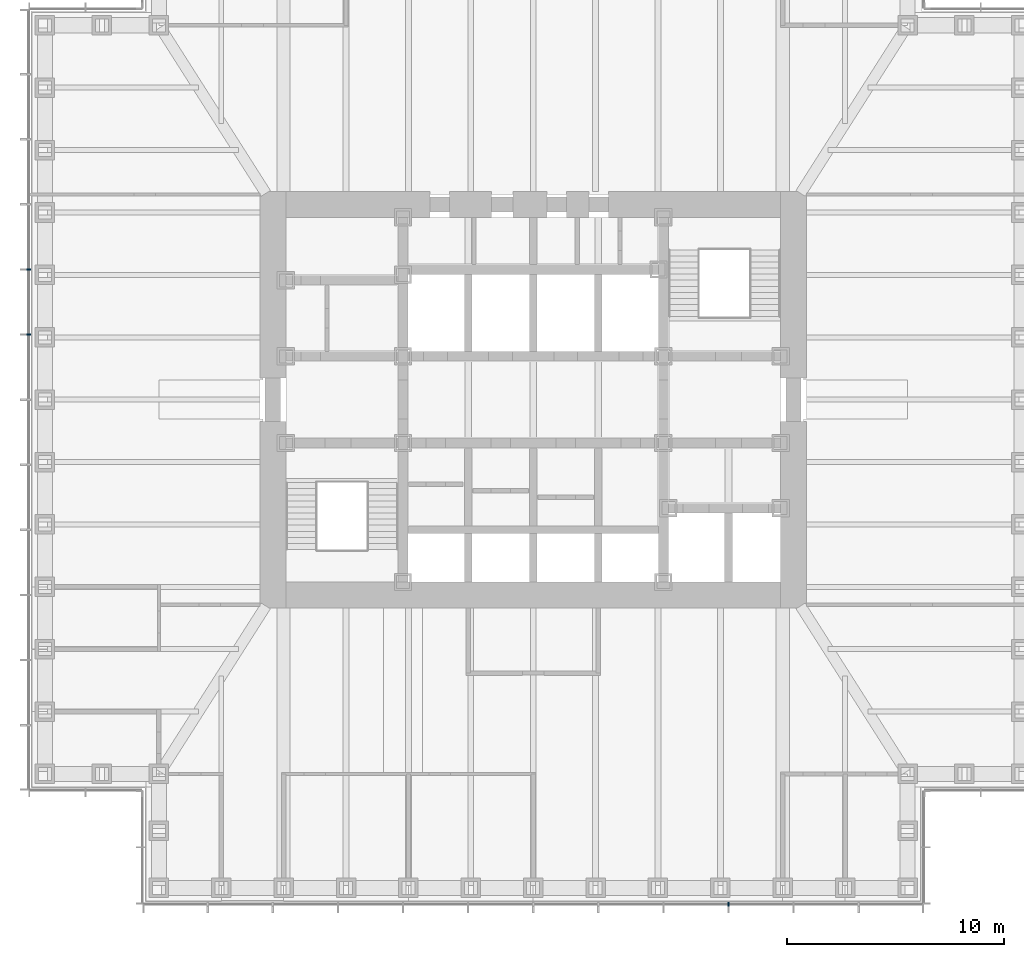
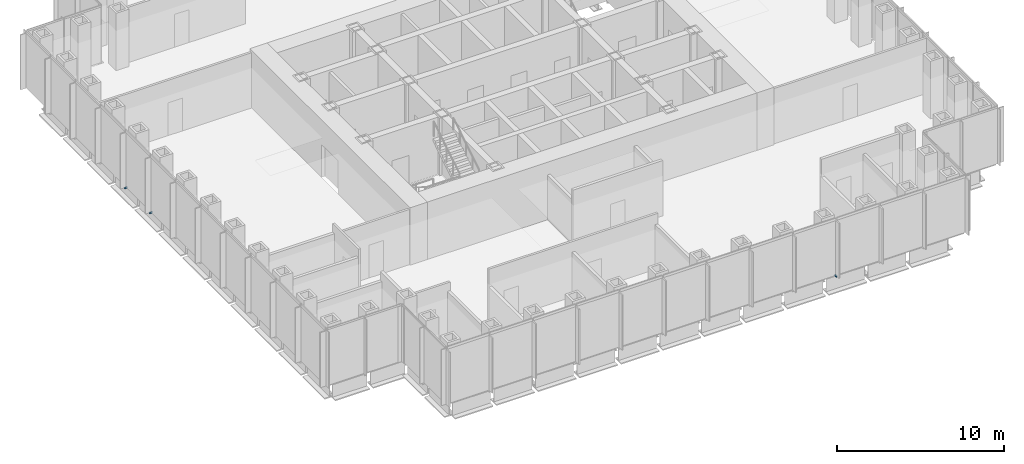
# One storey, part 12 of 16: 3 discrete accessories.
"""IFC4 building model written with IfcOpenShell, lengths in metres."""

from ifc_helpers import new_model, si_unit, direction, frame, origin, origin_2d, place, context, subcontext, project, spatial, rectangle, extrude, element, save


model = new_model("IFC4")

# Units and contexts
model_context = context("Model", 3, precision=1e-05, world=origin(), true_north=direction((0.0, 1.0)))
body_context = subcontext(model_context, "Body", "Model", "MODEL_VIEW")
ifc_project = project(units=[si_unit("LENGTHUNIT", "METRE"), si_unit("AREAUNIT", "SQUARE_METRE"), si_unit("VOLUMEUNIT", "CUBIC_METRE"), si_unit("PLANEANGLEUNIT", "RADIAN"), si_unit("MASSUNIT", "GRAM", prefix="KILO")], contexts=[model_context])

# Site, building, storey
site_placement = place(None, origin())
site = spatial("IfcSite", under=ifc_project, at=site_placement, CompositionType="ELEMENT")
building_placement = place(site_placement, origin())
building = spatial("IfcBuilding", under=site, at=building_placement, Name="Daluyong Arena Tower", CompositionType="ELEMENT")
storey_placement = place(building_placement, frame((0.0, 0.0, 116.5)))
storey = spatial("IfcBuildingStorey", under=building, at=storey_placement, Name="L25", CompositionType="ELEMENT", Elevation=116.5)

# Discrete accessories
for number, where, z_axis, x_axis, name in (
    (1, (65.0, 56.75, -0.10009765625), (0.0, 0.0, 1.0), (1.0, 0.0, 0.0), "curtain wall L25 S anchor bracket 10"),
    (2, (32.75, 86.0, -0.10009765625), (0.0, 0.0, 1.0), (0.0, -1.0, 0.0), "curtain wall L25 W anchor bracket 5"),
    (3, (32.75, 83.0, -0.10009765625), (0.0, 0.0, 1.0), (0.0, -1.0, 0.0), "curtain wall L25 W anchor bracket 6"),
):
    element("IfcDiscreteAccessory", number, at=place(storey_placement, frame(where, z_axis=z_axis, x_axis=x_axis)), inside=storey, Name=name, PredefinedType="BRACKET", context=body_context, shape_type="SweptSolid", body=[
        extrude(rectangle(XDim=0.080078125, YDim=0.199951171875, at=origin_2d()), origin(), (0.0, 0.0, 1.0), 0.10009765625),
    ])

save(model, "model.ifc")
